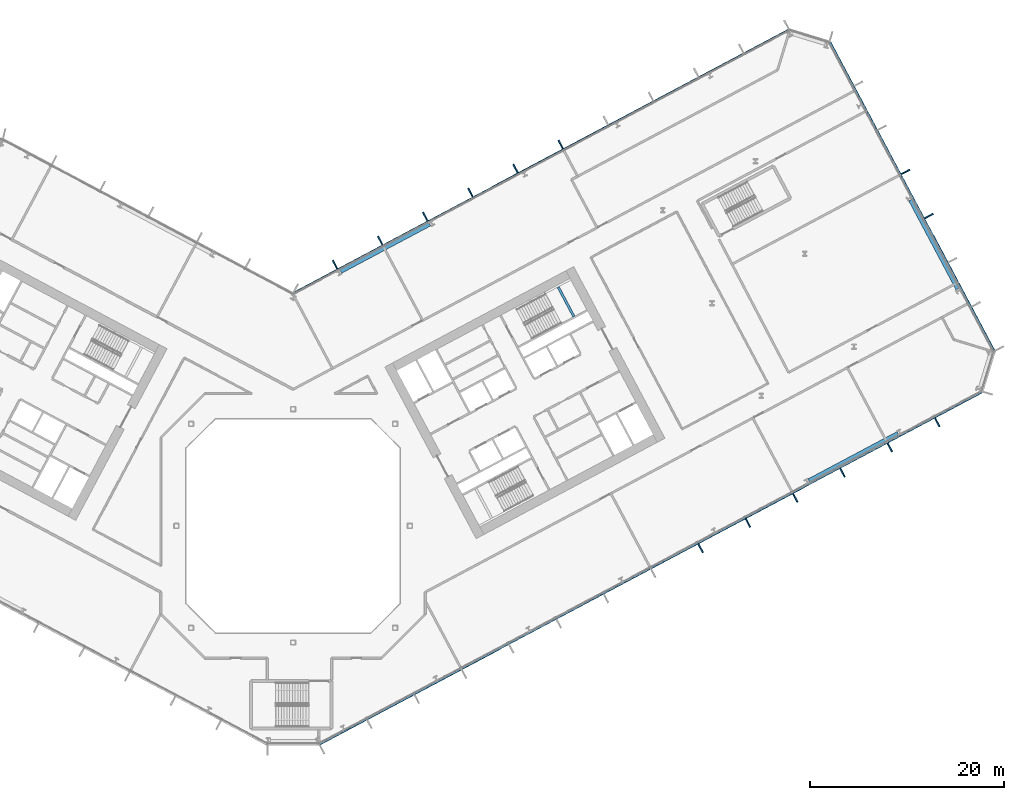
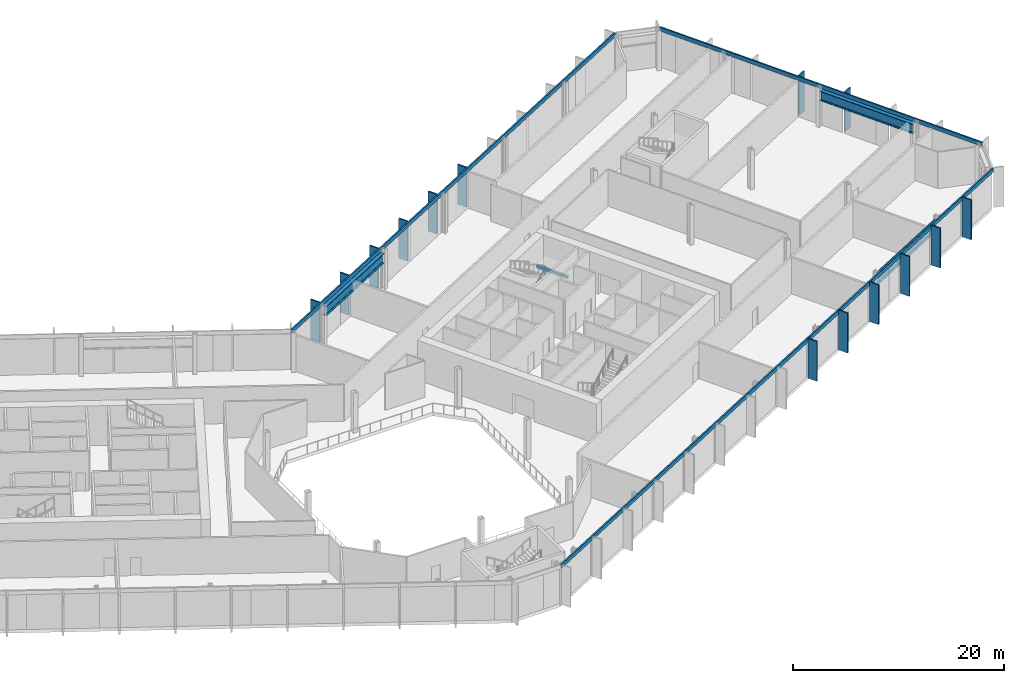
# One storey, part 8 of 32: 17 members, 4 beams, 3 elements without a shape of their own.
"""IFC4 building model written with IfcOpenShell, lengths in metres."""

from ifc_helpers import new_model, si_unit, direction, frame, origin, origin_2d, place, context, subcontext, project, spatial, rectangle, i_section, extrude, material, layer, layer_set, material_profile, profile_set, type_object, element, aggregate, save


model = new_model("IFC4")

# Units and contexts
model_context = context("Model", 3, precision=1e-05, world=origin(), true_north=direction((0.0, 1.0)))
body_context = subcontext(model_context, "Body", "Model", "MODEL_VIEW")
ifc_project = project(units=[si_unit("LENGTHUNIT", "METRE"), si_unit("AREAUNIT", "SQUARE_METRE"), si_unit("VOLUMEUNIT", "CUBIC_METRE"), si_unit("PLANEANGLEUNIT", "RADIAN"), si_unit("MASSUNIT", "GRAM", prefix="KILO")], contexts=[model_context])

# Site, building, storey
site_placement = place(None, origin())
site = spatial("IfcSite", under=ifc_project, at=site_placement, CompositionType="ELEMENT")
building_placement = place(site_placement, origin())
building = spatial("IfcBuilding", under=site, at=building_placement, Name="Cormorant Relay Tower", CompositionType="ELEMENT")
storey_placement = place(building_placement, frame((0.0, 0.0, 70.800048828125)))
storey = spatial("IfcBuildingStorey", under=building, at=storey_placement, Name="L13", CompositionType="ELEMENT", Elevation=70.800048828125)

# Curtain wall, members
ifc_material_1 = material(Name="Aluminium 6063-T6 anodised bronze", Category="aluminium")
ifc_layer = layer(ifc_material_1, 0.199951171875)
ifc_layer_set = layer_set([ifc_layer], Name="CW1 unitised bronze curtain wall with vertical fins")
curtain_wall_type = type_object("IfcCurtainWallType", Name="CW1 unitised bronze curtain wall with vertical fins", PredefinedType="NOTDEFINED", material=ifc_layer_set)
curtain_wall_1_placement = place(storey_placement, origin())
curtain_wall_1 = element("IfcCurtainWall", 1, at=curtain_wall_1_placement, inside=storey, type_object=curtain_wall_type, Name="CW1 curtain wall 2", PredefinedType="NOTDEFINED")
ifc_material_2 = material(Name="Aluminium 6063-T6 anodised bronze", Category="aluminium")
ifc_material_profile_1 = material_profile(ifc_material_2, rectangle(XDim=0.14990234375, YDim=1.0, at=origin_2d()), Name="AL 150x1000")
ifc_profile_set_1 = profile_set([ifc_material_profile_1], Name="Aluminium 6063-T6 anodised bronze")
member_type_1 = type_object("IfcMemberType", Name="CW1 bronze fin mullion 150 x 1000", PredefinedType="MULLION", material=ifc_profile_set_1)
member_1_placement = place(storey_placement, frame((41.910888671875, -2.29248046875, 0.0), z_axis=(0.0, 0.0, 1.0), x_axis=(0.882947592859, 0.469471562786, 0.0)))
member_1 = element("IfcMember", 2, at=member_1_placement, type_object=member_type_1, Name="CW1 fin 2.9", PredefinedType="MULLION", context=body_context, shape_type="SweptSolid", body=[
    extrude(rectangle(XDim=0.14990234375, YDim=1.0, at=origin_2d()), origin(), (0.0, 0.0, 1.0), 4.599853515625),
])
member_2_placement = place(storey_placement, frame((46.777587890625, 0.29541015625, 0.0), z_axis=(0.0, 0.0, 1.0), x_axis=(0.882947592859, 0.469471562786, 0.0)))
member_2 = element("IfcMember", 3, at=member_2_placement, type_object=member_type_1, Name="CW1 fin 2.10", PredefinedType="MULLION", context=body_context, shape_type="SweptSolid", body=[
    extrude(rectangle(XDim=0.14990234375, YDim=1.0, at=origin_2d()), origin(), (0.0, 0.0, 1.0), 4.599853515625),
])
member_3_placement = place(storey_placement, frame((51.644287109375, 2.8828125, 0.0), z_axis=(0.0, 0.0, 1.0), x_axis=(0.882947592859, 0.469471562786, 0.0)))
member_3 = element("IfcMember", 4, at=member_3_placement, type_object=member_type_1, Name="CW1 fin 2.11", PredefinedType="MULLION", context=body_context, shape_type="SweptSolid", body=[
    extrude(rectangle(XDim=0.14990234375, YDim=1.0, at=origin_2d()), origin(), (0.0, 0.0, 1.0), 4.599853515625),
])
member_4_placement = place(storey_placement, frame((56.510986328125, 5.470703125, 0.0), z_axis=(0.0, 0.0, 1.0), x_axis=(0.882947592859, 0.469471562786, 0.0)))
member_4 = element("IfcMember", 5, at=member_4_placement, type_object=member_type_1, Name="CW1 fin 2.12", PredefinedType="MULLION", context=body_context, shape_type="SweptSolid", body=[
    extrude(rectangle(XDim=0.14990234375, YDim=1.0, at=origin_2d()), origin(), (0.0, 0.0, 1.0), 4.599853515625),
])
member_5_placement = place(storey_placement, frame((61.377685546875, 8.058349609375, 0.0), z_axis=(0.0, 0.0, 1.0), x_axis=(0.882947592859, 0.469471562786, 0.0)))
member_5 = element("IfcMember", 6, at=member_5_placement, type_object=member_type_1, Name="CW1 fin 2.13", PredefinedType="MULLION", context=body_context, shape_type="SweptSolid", body=[
    extrude(rectangle(XDim=0.14990234375, YDim=1.0, at=origin_2d()), origin(), (0.0, 0.0, 1.0), 4.599853515625),
])
member_6_placement = place(storey_placement, frame((66.244140625, 10.64599609375, 0.0), z_axis=(0.0, 0.0, 1.0), x_axis=(0.882947592859, 0.469471562786, 0.0)))
member_6 = element("IfcMember", 7, at=member_6_placement, type_object=member_type_1, Name="CW1 fin 2.14", PredefinedType="MULLION", context=body_context, shape_type="SweptSolid", body=[
    extrude(rectangle(XDim=0.14990234375, YDim=1.0, at=origin_2d()), origin(), (0.0, 0.0, 1.0), 4.599853515625),
])

curtain_wall_2_placement = place(storey_placement, origin())
curtain_wall_2 = element("IfcCurtainWall", 8, at=curtain_wall_2_placement, inside=storey, type_object=curtain_wall_type, Name="CW1 curtain wall 4", PredefinedType="NOTDEFINED")
member_7_placement = place(storey_placement, frame((65.3974609375, 31.860107421875, 0.0), z_axis=(0.0, 0.0, 1.0), x_axis=(-0.469471562786, 0.882947592859, 0.0)))
member_7 = element("IfcMember", 9, at=member_7_placement, type_object=member_type_1, Name="CW1 fin 4.4", PredefinedType="MULLION", context=body_context, shape_type="SweptSolid", body=[
    extrude(rectangle(XDim=0.14990234375, YDim=1.0, at=origin_2d()), origin(), (0.0, 0.0, 1.0), 4.599853515625),
])
member_8_placement = place(storey_placement, frame((62.983154296875, 36.40087890625, 0.0), z_axis=(0.0, 0.0, 1.0), x_axis=(-0.469471562786, 0.882947592859, 0.0)))
member_8 = element("IfcMember", 10, at=member_8_placement, type_object=member_type_1, Name="CW1 fin 4.5", PredefinedType="MULLION", context=body_context, shape_type="SweptSolid", body=[
    extrude(rectangle(XDim=0.14990234375, YDim=1.0, at=origin_2d()), origin(), (0.0, 0.0, 1.0), 4.599853515625),
])

curtain_wall_3_placement = place(storey_placement, origin())
curtain_wall_3 = element("IfcCurtainWall", 11, at=curtain_wall_3_placement, inside=storey, type_object=curtain_wall_type, Name="CW1 curtain wall 6", PredefinedType="NOTDEFINED")
member_9_placement = place(storey_placement, frame((27.524658203125, 39.2119140625, 0.0), z_axis=(0.0, 0.0, 1.0), x_axis=(-0.882947592859, -0.469471562786, 0.0)))
member_9 = element("IfcMember", 12, at=member_9_placement, type_object=member_type_1, Name="CW1 fin 6.6", PredefinedType="MULLION", context=body_context, shape_type="SweptSolid", body=[
    extrude(rectangle(XDim=0.14990234375, YDim=1.0, at=origin_2d()), origin(), (0.0, 0.0, 1.0), 4.599853515625),
])
member_10_placement = place(storey_placement, frame((22.882568359375, 36.74365234375, 0.0), z_axis=(0.0, 0.0, 1.0), x_axis=(-0.882947592859, -0.469471562786, 0.0)))
member_10 = element("IfcMember", 13, at=member_10_placement, type_object=member_type_1, Name="CW1 fin 6.7", PredefinedType="MULLION", context=body_context, shape_type="SweptSolid", body=[
    extrude(rectangle(XDim=0.14990234375, YDim=1.0, at=origin_2d()), origin(), (0.0, 0.0, 1.0), 4.599853515625),
])
member_11_placement = place(storey_placement, frame((18.240234375, 34.275390625, 0.0), z_axis=(0.0, 0.0, 1.0), x_axis=(-0.882947592859, -0.469471562786, 0.0)))
member_11 = element("IfcMember", 14, at=member_11_placement, type_object=member_type_1, Name="CW1 fin 6.8", PredefinedType="MULLION", context=body_context, shape_type="SweptSolid", body=[
    extrude(rectangle(XDim=0.14990234375, YDim=1.0, at=origin_2d()), origin(), (0.0, 0.0, 1.0), 4.599853515625),
])
member_12_placement = place(storey_placement, frame((13.597900390625, 31.806884765625, 0.0), z_axis=(0.0, 0.0, 1.0), x_axis=(-0.882947592859, -0.469471562786, 0.0)))
member_12 = element("IfcMember", 15, at=member_12_placement, type_object=member_type_1, Name="CW1 fin 6.9", PredefinedType="MULLION", context=body_context, shape_type="SweptSolid", body=[
    extrude(rectangle(XDim=0.14990234375, YDim=1.0, at=origin_2d()), origin(), (0.0, 0.0, 1.0), 4.599853515625),
])
member_13_placement = place(storey_placement, frame((8.955810546875, 29.338623046875, 0.0), z_axis=(0.0, 0.0, 1.0), x_axis=(-0.882947592859, -0.469471562786, 0.0)))
member_13 = element("IfcMember", 16, at=member_13_placement, type_object=member_type_1, Name="CW1 fin 6.10", PredefinedType="MULLION", context=body_context, shape_type="SweptSolid", body=[
    extrude(rectangle(XDim=0.14990234375, YDim=1.0, at=origin_2d()), origin(), (0.0, 0.0, 1.0), 4.599853515625),
])
member_14_placement = place(storey_placement, frame((4.313720703125, 26.870361328125, 0.0), z_axis=(0.0, 0.0, 1.0), x_axis=(-0.882947592859, -0.469471562786, 0.0)))
member_14 = element("IfcMember", 17, at=member_14_placement, type_object=member_type_1, Name="CW1 fin 6.11", PredefinedType="MULLION", context=body_context, shape_type="SweptSolid", body=[
    extrude(rectangle(XDim=0.14990234375, YDim=1.0, at=origin_2d()), origin(), (0.0, 0.0, 1.0), 4.599853515625),
])

# Member
ifc_material_3 = material(Name="Aluminium 6063-T6 anodised bronze", Category="aluminium")
ifc_material_profile_2 = material_profile(ifc_material_3, rectangle(XDim=0.159912109375, YDim=0.449951171875, at=origin_2d()), Name="AL 160x450")
ifc_profile_set_2 = profile_set([ifc_material_profile_2], Name="Aluminium 6063-T6 anodised bronze")
member_type_2 = type_object("IfcMemberType", Name="CW1 bronze transom 160 x 450", PredefinedType="USERDEFINED", material=ifc_profile_set_2)
member_15_placement = place(storey_placement, frame((2.705078125, -22.4814453125, 4.375), z_axis=(0.882948654677, 0.46946956579, 0.0), x_axis=(-0.46946956579, 0.882948654677, 0.0)))
member_15 = element("IfcMember", 18, at=member_15_placement, type_object=member_type_2, Name="CW1 transom 2", ObjectType="TRANSOM", PredefinedType="USERDEFINED", context=body_context, shape_type="SweptSolid", body=[
    extrude(rectangle(XDim=0.159912109375, YDim=0.449951171875, at=origin_2d()), origin(), (0.0, 0.0, 1.0), 77.166015625),
])

aggregate(curtain_wall_1, [member_1, member_2, member_3, member_4, member_5, member_6, member_15])

member_16_placement = place(storey_placement, frame((72.128662109375, 17.965087890625, 4.375), z_axis=(-0.469469230355, 0.88294883303, 0.0), x_axis=(-0.88294883303, -0.469469230355, 0.0)))
member_16 = element("IfcMember", 19, at=member_16_placement, type_object=member_type_2, Name="CW1 transom 4", ObjectType="TRANSOM", PredefinedType="USERDEFINED", context=body_context, shape_type="SweptSolid", body=[
    extrude(rectangle(XDim=0.159912109375, YDim=0.449951171875, at=origin_2d()), origin(), (0.0, 0.0, 1.0), 36.0),
])

aggregate(curtain_wall_2, [member_7, member_8, member_16])

member_17_placement = place(storey_placement, frame((51.008056640625, 51.04150390625, 4.375), z_axis=(-0.882946446228, -0.469473719279, 0.0), x_axis=(0.469473719279, -0.882946446228, 0.0)))
member_17 = element("IfcMember", 20, at=member_17_placement, type_object=member_type_2, Name="CW1 transom 6", ObjectType="TRANSOM", PredefinedType="USERDEFINED", context=body_context, shape_type="SweptSolid", body=[
    extrude(rectangle(XDim=0.159912109375, YDim=0.449951171875, at=origin_2d()), origin(), (0.0, 0.0, 1.0), 57.834228515625),
])

aggregate(curtain_wall_3, [member_9, member_10, member_11, member_12, member_13, member_14, member_17])

# Beams
ifc_material_4 = material(Name="Steel ASTM A992 (Fy 345 MPa)", Category="steel")
ifc_material_profile_3 = material_profile(ifc_material_4, i_section(OverallWidth=0.40380859375, OverallDepth=1.11767578125, WebThickness=0.026123046875, FlangeThickness=0.044921875, FilletRadius=0.02001953125, at=origin_2d()), Name="W1100x499")
ifc_profile_set_3 = profile_set([ifc_material_profile_3], Name="Steel ASTM A992 (Fy 345 MPa)")
beam_type_1 = type_object("IfcBeamType", Name="Spandrel W1100x499", PredefinedType="SPANDREL", material=ifc_profile_set_3)
for number, where, z_axis, x_axis, name in (
    (21, (53.0390625, 4.64599609375, 3.64111328125), (0.882937138632, 0.469491223799, 0.0), (-0.469491223799, 0.882937138632, 0.0), "Spandrel beam L13-002"),
    (22, (68.364990234375, 24.358154296875, 3.64111328125), (-0.469491223799, 0.882937138632, 0.0), (-0.882937138632, -0.469491223799, 0.0), "Spandrel beam L13-004"),
    (23, (14.06494140625, 31.03369140625, 3.64111328125), (-0.882946891921, -0.469472881056, 0.0), (0.469472881056, -0.882946891921, 0.0), "Spandrel beam L13-006"),
):
    element("IfcBeam", number, at=place(storey_placement, frame(where, z_axis=z_axis, x_axis=x_axis)), inside=storey, type_object=beam_type_1, Name=name, PredefinedType="SPANDREL", context=body_context, shape_type="SweptSolid", body=[
        extrude(i_section(OverallWidth=0.40380859375, OverallDepth=1.11767578125, WebThickness=0.026123046875, FlangeThickness=0.044921875, FilletRadius=0.02001953125, at=origin_2d()), origin(), (0.0, 0.0, 1.0), 10.376220703125),
    ])
ifc_material_5 = material(Name="Concrete 50 MPa", Category="concrete")
ifc_material_profile_4 = material_profile(ifc_material_5, rectangle(XDim=0.25, YDim=0.300048828125, at=origin_2d()), Name="RC 250x300")
ifc_profile_set_4 = profile_set([ifc_material_profile_4], Name="Concrete 50 MPa")
beam_type_2 = type_object("IfcBeamType", Name="Stair landing ledge beam 250x300", PredefinedType="BEAM", material=ifc_profile_set_4)
beam_placement = place(storey_placement, frame((28.878662109375, 21.527587890625, 1.949951171875), z_axis=(-0.469463917486, 0.882951657895, 0.0), x_axis=(-0.882951657895, -0.469463917486, 0.0)))
element("IfcBeam", 24, at=beam_placement, inside=storey, type_object=beam_type_2, Name="B2 landing ledge beam", PredefinedType="BEAM", context=body_context, shape_type="SweptSolid", body=[
    extrude(rectangle(XDim=0.25, YDim=0.300048828125, at=origin_2d()), origin(), (0.0, 0.0, 1.0), 3.449951171875),
])

save(model, "model.ifc")
